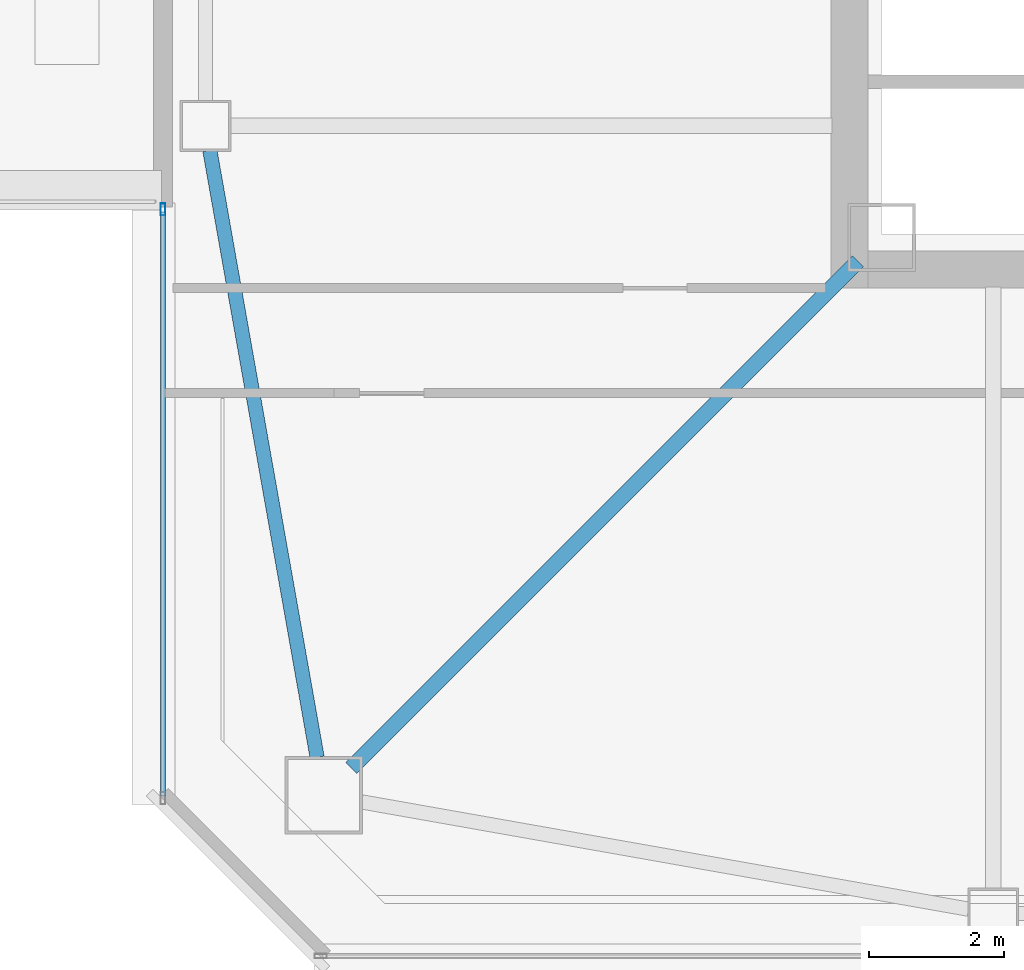
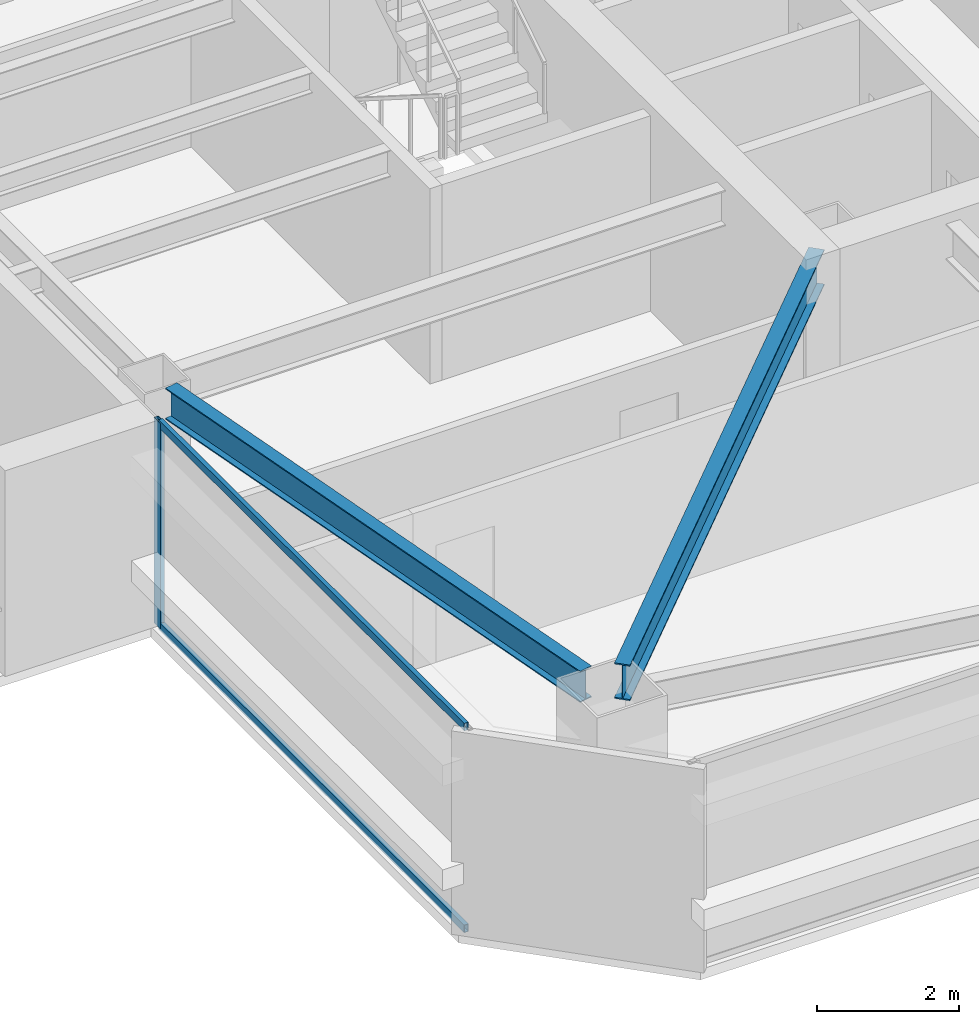
# One storey, part 4 of 41: 3 members, 2 beams, 1 element without a shape of its own.
"""IFC4 building model written with IfcOpenShell, lengths in metres."""

import ifcopenshell
import ifcopenshell.guid

model = None  # the IFC model being written
_history = None  # IfcOwnerHistory: only IFC2X3 demands one
_inside = {}  # id of a spatial element -> (the spatial element, [elements in it])
_under = {}  # id of a project, library or spatial element -> (it, [spatial elements below it])
_declared = {}  # id of a project -> (the project, [libraries it declares])
_typed = {}  # id of a type object -> (the type object, [elements of that type])
_made_of = {}  # id of a material, layer set ... -> (it, [elements and type objects made of it])


def new_model(schema):
    """Start an empty IFC model of exactly this schema.

    Asked for "IFC4X3", IfcOpenShell would pick the latest addendum, in which some entities
    have other attributes; the version numbers below select the first issue.
    IFC2X3 requires an IfcOwnerHistory on every rooted entity: one is made here for all.
    """
    global model, _history
    if schema == "IFC4X3":
        model = ifcopenshell.file(schema_version=(4, 3, 0, 0))
    else:
        model = ifcopenshell.file(schema=schema)
    _inside.clear()
    _under.clear()
    _declared.clear()
    _typed.clear()
    _made_of.clear()
    _history = None
    if model.schema == "IFC2X3":
        org = make("IfcOrganization", Name="unknown")
        user = make(
            "IfcPersonAndOrganization",
            ThePerson=make("IfcPerson", FamilyName="unknown"),
            TheOrganization=org,
        )
        app = make(
            "IfcApplication",
            ApplicationDeveloper=org,
            Version="unknown",
            ApplicationFullName="unknown",
            ApplicationIdentifier="unknown",
        )
        _history = make(
            "IfcOwnerHistory",
            OwningUser=user,
            OwningApplication=app,
            ChangeAction="ADDED",
            CreationDate=0,
        )
    return model


def make(cls, **values):
    """One entity of the class cls with the attributes given. An attribute that is None is left unset."""
    return model.create_entity(
        cls, **{name: value for name, value in values.items() if value is not None}
    )


def rooted(cls, **values):
    """An entity with a GlobalId (a new one), such as an element, a storey or a relation."""
    return make(cls, GlobalId=ifcopenshell.guid.new(), OwnerHistory=_history, **values)


def si_unit(unit_type, name, prefix=None):
    """IfcSIUnit, for example si_unit("LENGTHUNIT", "METRE", prefix="MILLI")."""
    return make("IfcSIUnit", UnitType=unit_type, Prefix=prefix, Name=name)


def assignment(units):
    """IfcUnitAssignment: the units of a project."""
    return None if units is None else make("IfcUnitAssignment", Units=units)


def point(xyz):
    """IfcCartesianPoint."""
    return None if xyz is None else make("IfcCartesianPoint", Coordinates=xyz)


def direction(xyz):
    """IfcDirection."""
    return None if xyz is None else make("IfcDirection", DirectionRatios=xyz)


def frame(location, z_axis=None, x_axis=None):
    """IfcAxis2Placement3D, a coordinate frame: its origin and axes. An axis left out is left unset."""
    return make(
        "IfcAxis2Placement3D",
        Location=point(location),
        Axis=direction(z_axis),
        RefDirection=direction(x_axis),
    )


def frame_2d(location, x_axis=None):
    """IfcAxis2Placement2D, a coordinate frame in the plane: its origin and x axis."""
    return make(
        "IfcAxis2Placement2D", Location=point(location), RefDirection=direction(x_axis)
    )


def origin():
    """The frame at (0, 0, 0) with its axes left unset."""
    return frame((0.0, 0.0, 0.0))


def origin_2d():
    """The frame at (0, 0) in the plane with its x axis left unset."""
    return frame_2d((0.0, 0.0))


def place(relative_to, where):
    """IfcLocalPlacement: puts the frame where relative to a parent placement (None: the world)."""
    return make(
        "IfcLocalPlacement", PlacementRelTo=relative_to, RelativePlacement=where
    )


def context(
    kind, dimensions, precision=None, world=None, true_north=None, identifier=None
):
    """IfcGeometricRepresentationContext, for example the 3D "Model" context."""
    return make(
        "IfcGeometricRepresentationContext",
        ContextIdentifier=identifier,
        ContextType=kind,
        CoordinateSpaceDimension=dimensions,
        Precision=precision,
        WorldCoordinateSystem=world,
        TrueNorth=true_north,
    )


def subcontext(parent, identifier, kind, view, scale=None):
    """IfcGeometricRepresentationSubContext, for example "Body" below "Model"."""
    return make(
        "IfcGeometricRepresentationSubContext",
        ContextIdentifier=identifier,
        ContextType=kind,
        ParentContext=parent,
        TargetScale=scale,
        TargetView=view,
    )


def project(units=None, contexts=None):
    """IfcProject with its units and contexts."""
    return rooted(
        "IfcProject",
        Name="project",
        RepresentationContexts=contexts,
        UnitsInContext=assignment(units),
    )


def spatial(cls, under=None, at=None, **own):
    """A site, building, storey or space (cls), placed at a placement, below another one or the project."""
    s = rooted(cls, ObjectPlacement=at, **own)
    if under is not None:
        _under.setdefault(under.id(), (under, []))[1].append(s)
    return s


def profile(cls, at=None, kind="AREA", **sizes):
    """A parametric profile (cls). Its sizes go by their IFC names, for example OverallWidth=200.0."""
    return make(cls, ProfileType=kind, Position=at, **sizes)


def hollow_rectangle(**sizes):
    """IfcRectangleHollowProfileDef."""
    return profile("IfcRectangleHollowProfileDef", **sizes)


def i_section(**sizes):
    """IfcIShapeProfileDef."""
    return profile("IfcIShapeProfileDef", **sizes)


def extrude(swept, where, along, depth):
    """IfcExtrudedAreaSolid: the profile swept, set in the frame where, extruded along a direction by depth."""
    return make(
        "IfcExtrudedAreaSolid",
        SweptArea=swept,
        Position=where,
        ExtrudedDirection=direction(along),
        Depth=depth,
    )


def shape(context_of_items, identifier, shape_type, items):
    """IfcShapeRepresentation: the items that make up one representation, for example the "Body"."""
    return make(
        "IfcShapeRepresentation",
        ContextOfItems=context_of_items,
        RepresentationIdentifier=identifier,
        RepresentationType=shape_type,
        Items=items,
    )


def material(Name=None, Category=None):
    """IfcMaterial."""
    return make("IfcMaterial", Name=Name, Category=Category)


def material_profile(
    of_material, cross_section, Name=None, Category=None, Priority=None
):
    """IfcMaterialProfile: a cross section and its material."""
    return make(
        "IfcMaterialProfile",
        Name=Name,
        Material=of_material,
        Profile=cross_section,
        Priority=Priority,
        Category=Category,
    )


def profile_set(profiles, Name=None, composite=None):
    """IfcMaterialProfileSet."""
    return make(
        "IfcMaterialProfileSet",
        Name=Name,
        MaterialProfiles=profiles,
        CompositeProfile=composite,
    )


def made_of(thing, what):
    """Note that an element or type object is made of a material, layer set ...; save() writes the relation."""
    if what is not None:
        _made_of.setdefault(what.id(), (what, []))[1].append(thing)
    return thing


def type_object(cls, material=None, **own):
    """A type object (cls), such as IfcWallType, which elements share."""
    return made_of(rooted(cls, **own), material)


def element(
    cls,
    number,
    at=None,
    inside=None,
    cuts=None,
    type_object=None,
    material=None,
    context=None,
    identifier="Body",
    shape_type=None,
    held_by="IfcProductDefinitionShape",
    body=None,
    shapes=None,
    **own,
):
    """One element of the class cls, such as IfcWall. Its Tag is "e" and its number.

    at: its placement. inside: the storey or other place that contains it. cuts: it is an
    opening in that element (IfcRelVoidsElement). A single representation is given by context,
    identifier, shape_type and body (its items); several are given by shapes. held_by: the class
    of the entity that holds the representations. save() writes the other relations.
    """
    e = rooted(cls, Tag="e%d" % number, ObjectPlacement=at, **own)
    if body is not None:
        shapes = [shape(context, identifier, shape_type, body)]
    if shapes is not None:
        e.Representation = make(held_by, Representations=shapes)
    if inside is not None:
        _inside.setdefault(inside.id(), (inside, []))[1].append(e)
    if cuts is not None:
        rooted(
            "IfcRelVoidsElement", RelatingBuildingElement=cuts, RelatedOpeningElement=e
        )
    if type_object is not None:
        _typed.setdefault(type_object.id(), (type_object, []))[1].append(e)
    return made_of(e, material)


def aggregate(whole, parts):
    """IfcRelAggregates: a whole, such as a stair, and the parts it consists of."""
    return rooted("IfcRelAggregates", RelatingObject=whole, RelatedObjects=parts)


def save(model, path):
    """Write the relations noted so far, then the file.

    IfcRelAggregates (storeys below a building ...), IfcRelContainedInSpatialStructure (elements
    in a storey), IfcRelDefinesByType, IfcRelAssociatesMaterial and IfcRelDeclares: one each for
    every whole, place, type object, material and project.
    """
    for whole, parts in _under.values():
        aggregate(whole, parts)
    for where, things in _inside.values():
        rooted(
            "IfcRelContainedInSpatialStructure",
            RelatedElements=things,
            RelatingStructure=where,
        )
    for kind, things in _typed.values():
        rooted("IfcRelDefinesByType", RelatedObjects=things, RelatingType=kind)
    for what, things in _made_of.values():
        rooted("IfcRelAssociatesMaterial", RelatedObjects=things, RelatingMaterial=what)
    for by, libraries in _declared.values():
        rooted("IfcRelDeclares", RelatingContext=by, RelatedDefinitions=libraries)
    model.write(path)


model = new_model("IFC4")

# Units and contexts
model_context = context("Model", 3, precision=1e-05, world=origin(), true_north=direction((0.0, 1.0)))
body_context = subcontext(model_context, "Body", "Model", "MODEL_VIEW")
ifc_project = project(units=[si_unit("LENGTHUNIT", "METRE"), si_unit("AREAUNIT", "SQUARE_METRE"), si_unit("VOLUMEUNIT", "CUBIC_METRE"), si_unit("PLANEANGLEUNIT", "RADIAN"), si_unit("MASSUNIT", "GRAM", prefix="KILO")], contexts=[model_context])

# Site, building, storey
site_placement = place(None, origin())
site = spatial("IfcSite", under=ifc_project, at=site_placement, CompositionType="ELEMENT")
building_placement = place(site_placement, origin())
building = spatial("IfcBuilding", under=site, at=building_placement, Name="Tashvorn Skyway Center", CompositionType="ELEMENT")
storey_placement = place(building_placement, frame((0.0, 0.0, 192.5)))
storey = spatial("IfcBuildingStorey", under=building, at=storey_placement, Name="L52", CompositionType="ELEMENT", Elevation=192.5)

# Beams
ifc_material_1 = material(Name="Steel ASTM A992 Grade 50", Category="steel")
ifc_material_profile_1 = material_profile(ifc_material_1, i_section(OverallWidth=0.22998046875, OverallDepth=0.616943359375, WebThickness=0.01318359375, FlangeThickness=0.022216796875, at=origin_2d()), Name="W24X94")
ifc_profile_set_1 = profile_set([ifc_material_profile_1], Name="Steel ASTM A992 Grade 50")
beam_type_1 = type_object("IfcBeamType", Name="BM-BEAM-W24X94", PredefinedType="BEAM", material=ifc_profile_set_1)
beam_1_placement = place(storey_placement, frame((27.10302734375, 17.10302734375, 3.0615234375), z_axis=(0.707106781187, 0.707106781187, 0.0), x_axis=(-0.707106781187, 0.707106781187, 0.0)))
element("IfcBeam", 1, at=beam_1_placement, inside=storey, type_object=beam_type_1, Name="Tower 1 L52 Primary Floor Girder MC-SW", PredefinedType="BEAM", context=body_context, shape_type="SweptSolid", body=[
    extrude(i_section(OverallWidth=0.22998046875, OverallDepth=0.616943359375, WebThickness=0.01318359375, FlangeThickness=0.022216796875, at=origin_2d()), origin(), (0.0, 0.0, 1.0), 10.6025390625),
])
ifc_material_profile_2 = material_profile(ifc_material_1, i_section(OverallWidth=0.2109375, OverallDepth=0.5390625, WebThickness=0.01171875, FlangeThickness=0.018798828125, at=origin_2d()), Name="W21X73")
ifc_profile_set_2 = profile_set([ifc_material_profile_2], Name="Steel ASTM A992 Grade 50")
beam_type_2 = type_object("IfcBeamType", Name="BM-SPANDREL-W21X73", PredefinedType="SPANDREL", material=ifc_profile_set_2)
beam_2_placement = place(storey_placement, frame((25.014404296875, 26.235595703125, 3.1005859375), z_axis=(0.174074160933, -0.984732545667, 0.0), x_axis=(0.984732545667, 0.174074160933, 0.0)))
element("IfcBeam", 2, at=beam_2_placement, inside=storey, type_object=beam_type_2, Name="Tower 1 L52 Spandrel Beam 12", PredefinedType="SPANDREL", context=body_context, shape_type="SweptSolid", body=[
    extrude(i_section(OverallWidth=0.2109375, OverallDepth=0.5390625, WebThickness=0.01171875, FlangeThickness=0.018798828125, at=origin_2d()), origin(), (0.0, 0.0, 1.0), 9.113525390625),
])

# Curtain wall, members
ifc_material_2 = material(Name="Thermally broken bronze-anodized aluminium 6063-T6", Category="aluminium")
curtain_wall_type = type_object("IfcCurtainWallType", Name="CW-CW-Z4", PredefinedType="NOTDEFINED", material=ifc_material_2)
curtain_wall_placement = place(storey_placement, origin())
curtain_wall = element("IfcCurtainWall", 3, at=curtain_wall_placement, inside=storey, type_object=curtain_wall_type, Name="Tower 1 L52 West Curtain Wall L", PredefinedType="NOTDEFINED")
ifc_material_profile_3 = material_profile(ifc_material_2, hollow_rectangle(XDim=0.070068359375, YDim=0.179931640625, WallThickness=0.00390625, at=origin_2d()), Name="ALU-MULL-70x180")
ifc_profile_set_3 = profile_set([ifc_material_profile_3], Name="Thermally broken bronze-anodized aluminium 6063-T6")
member_type_1 = type_object("IfcMemberType", Name="CWM-CW-Z4", PredefinedType="MULLION", material=ifc_profile_set_3)
member_1_placement = place(storey_placement, frame((24.320068359375, 25.364990234375, 0.0), z_axis=(0.0, 0.0, 1.0), x_axis=(-1.0, 0.0, 0.0)))
member_1 = element("IfcMember", 4, at=member_1_placement, type_object=member_type_1, Name="CW-Z4 mullion 2", PredefinedType="MULLION", context=body_context, shape_type="SweptSolid", body=[
    extrude(hollow_rectangle(XDim=0.070068359375, YDim=0.179931640625, WallThickness=0.00390625, at=origin_2d()), origin(), (0.0, 0.0, 1.0), 3.550048828125),
])
ifc_material_profile_4 = material_profile(ifc_material_2, hollow_rectangle(XDim=0.070068359375, YDim=0.1298828125, WallThickness=0.00390625, at=origin_2d()), Name="ALU-TRAN-70x130")
ifc_profile_set_4 = profile_set([ifc_material_profile_4], Name="Thermally broken bronze-anodized aluminium 6063-T6")
member_type_2 = type_object("IfcMemberType", Name="CWT-CW-Z4", PredefinedType="USERDEFINED", material=ifc_profile_set_4)
member_2_placement = place(storey_placement, frame((24.320068359375, 16.68994140625, 0.034912109375), z_axis=(0.0, 1.0, 0.0), x_axis=(-1.0, 0.0, 0.0)))
member_2 = element("IfcMember", 5, at=member_2_placement, type_object=member_type_2, Name="CW-Z4 transom 1.1", ObjectType="TRANSOM", PredefinedType="USERDEFINED", context=body_context, shape_type="SweptSolid", body=[
    extrude(hollow_rectangle(XDim=0.070068359375, YDim=0.1298828125, WallThickness=0.00390625, at=origin_2d()), origin(), (0.0, 0.0, 1.0), 8.64013671875),
])
member_3_placement = place(storey_placement, frame((24.320068359375, 16.68994140625, 3.514892578125), z_axis=(0.0, 1.0, 0.0), x_axis=(-1.0, 0.0, 0.0)))
member_3 = element("IfcMember", 6, at=member_3_placement, type_object=member_type_2, Name="CW-Z4 transom 1.2", ObjectType="TRANSOM", PredefinedType="USERDEFINED", context=body_context, shape_type="SweptSolid", body=[
    extrude(hollow_rectangle(XDim=0.070068359375, YDim=0.1298828125, WallThickness=0.00390625, at=origin_2d()), origin(), (0.0, 0.0, 1.0), 8.64013671875),
])
aggregate(curtain_wall, [member_1, member_2, member_3])

save(model, "model.ifc")
